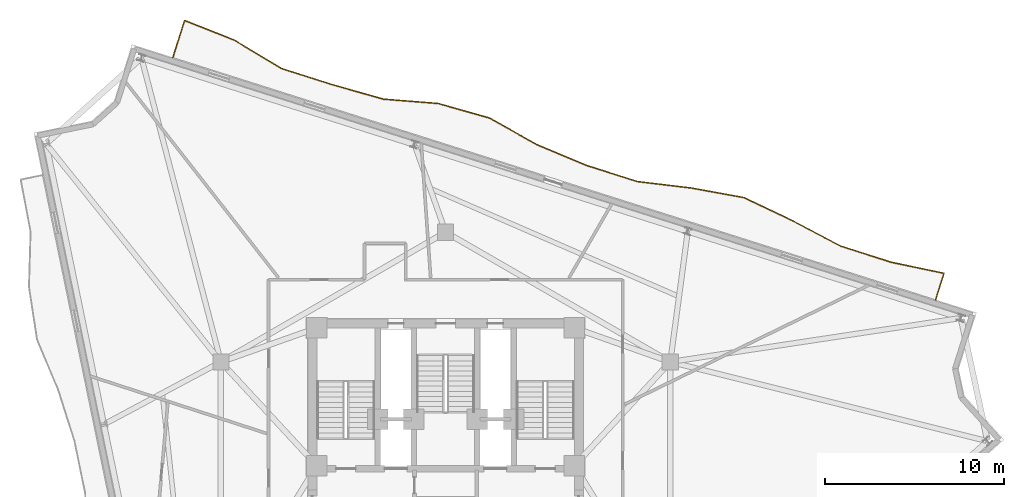
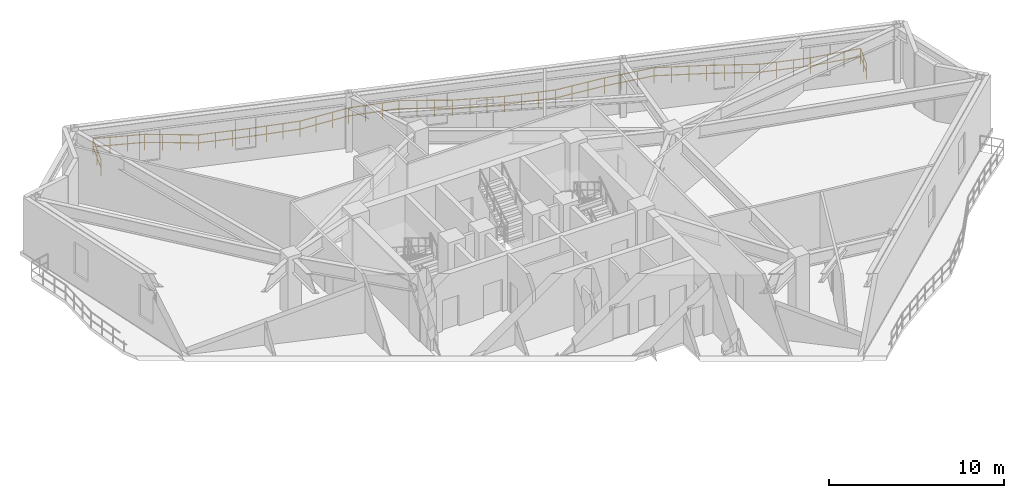
# One storey, part 12 of 12: 1 railing.
"""IFC4 building model written with IfcOpenShell, lengths in metres."""

from ifc_helpers import new_model, si_unit, direction, frame, origin, origin_2d, place, context, subcontext, project, spatial, rectangle, extrude, material, type_object, element, save


model = new_model("IFC4")

# Units and contexts
model_context = context("Model", 3, precision=1e-05, world=origin(), true_north=direction((0.0, 1.0)))
body_context = subcontext(model_context, "Body", "Model", "MODEL_VIEW")
ifc_project = project(units=[si_unit("LENGTHUNIT", "METRE"), si_unit("AREAUNIT", "SQUARE_METRE"), si_unit("VOLUMEUNIT", "CUBIC_METRE"), si_unit("PLANEANGLEUNIT", "RADIAN"), si_unit("MASSUNIT", "GRAM", prefix="KILO")], contexts=[model_context])

# Site, building, storey
site_placement = place(None, origin())
site = spatial("IfcSite", under=ifc_project, at=site_placement, CompositionType="ELEMENT")
building_placement = place(site_placement, origin())
building = spatial("IfcBuilding", under=site, at=building_placement, Name="Apsidion Concourse Tower", CompositionType="ELEMENT")
storey_placement = place(building_placement, frame((0.0, 0.0, 232.199951171875)))
storey = spatial("IfcBuildingStorey", under=building, at=storey_placement, Name="L54", CompositionType="ELEMENT", Elevation=232.199951171875)

# Railing
ifc_material = material(Name="Brushed stainless steel 316", Category="steel")
railing_type = type_object("IfcRailingType", Name="RL-BAL-1120", PredefinedType="BALUSTRADE", material=ifc_material)
railing_placement = place(storey_placement, frame((-15.25, 24.272216796875, 0.0)))
element("IfcRailing", 1, at=railing_placement, inside=storey, type_object=railing_type, Name="L54 Face 3 Rippling Balcony Balustrade", PredefinedType="BALUSTRADE", context=body_context, shape_type="SweptSolid", body=[
    extrude(rectangle(XDim=0.048095703125, YDim=0.048095703125, at=origin_2d()), frame((0.0, 0.0, 1.09619140625), z_axis=(0.302776842638, 0.953061479424, 0.0), x_axis=(-0.953061479424, 0.302776842638, 0.0)), (0.0, 0.0, 1.0), 2.17236328125),
    extrude(rectangle(XDim=0.048095703125, YDim=0.048095703125, at=origin_2d()), frame((0.0, 0.0, 0.5361328125), z_axis=(0.302776842638, 0.953061479424, 0.0), x_axis=(-0.953061479424, 0.302776842638, 0.0)), (0.0, 0.0, 1.0), 2.17236328125),
    extrude(rectangle(XDim=0.048095703125, YDim=0.048095703125, at=origin_2d()), frame((0.65771484375, 2.0703125, 1.09619140625), z_axis=(0.929771683879, -0.368136680946, 0.0), x_axis=(0.368136680946, 0.929771683879, 0.0)), (0.0, 0.0, 1.0), 2.990234375),
    extrude(rectangle(XDim=0.048095703125, YDim=0.048095703125, at=origin_2d()), frame((0.65771484375, 2.0703125, 0.5361328125), z_axis=(0.929771683879, -0.368136680946, 0.0), x_axis=(0.368136680946, 0.929771683879, 0.0)), (0.0, 0.0, 1.0), 2.990234375),
    extrude(rectangle(XDim=0.048095703125, YDim=0.048095703125, at=origin_2d()), frame((3.43798828125, 0.969482421875, 1.09619140625), z_axis=(0.856346061923, -0.516402384028, 0.0), x_axis=(0.516402384028, 0.856346061923, 0.0)), (0.0, 0.0, 1.0), 3.0673828125),
    extrude(rectangle(XDim=0.048095703125, YDim=0.048095703125, at=origin_2d()), frame((3.43798828125, 0.969482421875, 0.5361328125), z_axis=(0.856346061923, -0.516402384028, 0.0), x_axis=(0.516402384028, 0.856346061923, 0.0)), (0.0, 0.0, 1.0), 3.0673828125),
    extrude(rectangle(XDim=0.048095703125, YDim=0.048095703125, at=origin_2d()), frame((6.064697265625, -0.614501953125, 1.09619140625), z_axis=(0.953072925335, -0.302740811577, 0.0), x_axis=(0.302740811577, 0.953072925335, 0.0)), (0.0, 0.0, 1.0), 2.98291015625),
    extrude(rectangle(XDim=0.048095703125, YDim=0.048095703125, at=origin_2d()), frame((6.064697265625, -0.614501953125, 0.5361328125), z_axis=(0.953072925335, -0.302740811577, 0.0), x_axis=(0.302740811577, 0.953072925335, 0.0)), (0.0, 0.0, 1.0), 2.98291015625),
    extrude(rectangle(XDim=0.048095703125, YDim=0.048095703125, at=origin_2d()), frame((8.90771484375, -1.517578125, 1.09619140625), z_axis=(0.962322433093, -0.2719108949, 0.0), x_axis=(0.2719108949, 0.962322433093, 0.0)), (0.0, 0.0, 1.0), 2.984619140625),
    extrude(rectangle(XDim=0.048095703125, YDim=0.048095703125, at=origin_2d()), frame((8.90771484375, -1.517578125, 0.5361328125), z_axis=(0.962322433093, -0.2719108949, 0.0), x_axis=(0.2719108949, 0.962322433093, 0.0)), (0.0, 0.0, 1.0), 2.984619140625),
    extrude(rectangle(XDim=0.048095703125, YDim=0.048095703125, at=origin_2d()), frame((11.77978515625, -2.3291015625, 1.09619140625), z_axis=(0.996861998594, -0.079159053547, 0.0), x_axis=(0.079159053547, 0.996861998594, 0.0)), (0.0, 0.0, 1.0), 3.0625),
    extrude(rectangle(XDim=0.048095703125, YDim=0.048095703125, at=origin_2d()), frame((11.77978515625, -2.3291015625, 0.5361328125), z_axis=(0.996861998594, -0.079159053547, 0.0), x_axis=(0.079159053547, 0.996861998594, 0.0)), (0.0, 0.0, 1.0), 3.0625),
    extrude(rectangle(XDim=0.048095703125, YDim=0.048095703125, at=origin_2d()), frame((14.832763671875, -2.571533203125, 1.09619140625), z_axis=(0.962273558026, -0.272083809742, 0.0), x_axis=(0.272083809742, 0.962273558026, 0.0)), (0.0, 0.0, 1.0), 2.984375),
    extrude(rectangle(XDim=0.048095703125, YDim=0.048095703125, at=origin_2d()), frame((14.832763671875, -2.571533203125, 0.5361328125), z_axis=(0.962273558026, -0.272083809742, 0.0), x_axis=(0.272083809742, 0.962273558026, 0.0)), (0.0, 0.0, 1.0), 2.984375),
    extrude(rectangle(XDim=0.048095703125, YDim=0.048095703125, at=origin_2d()), frame((17.70458984375, -3.383544921875, 1.09619140625), z_axis=(0.871654711989, -0.490120457711, 0.0), x_axis=(0.490120457711, 0.871654711989, 0.0)), (0.0, 0.0, 1.0), 3.046630859375),
    extrude(rectangle(XDim=0.048095703125, YDim=0.048095703125, at=origin_2d()), frame((17.70458984375, -3.383544921875, 0.5361328125), z_axis=(0.871654711989, -0.490120457711, 0.0), x_axis=(0.490120457711, 0.871654711989, 0.0)), (0.0, 0.0, 1.0), 3.046630859375),
    extrude(rectangle(XDim=0.048095703125, YDim=0.048095703125, at=origin_2d()), frame((20.360107421875, -4.876708984375, 1.09619140625), z_axis=(0.922538195329, -0.385905789227, 0.0), x_axis=(0.385905789227, 0.922538195329, 0.0)), (0.0, 0.0, 1.0), 2.994873046875),
    extrude(rectangle(XDim=0.048095703125, YDim=0.048095703125, at=origin_2d()), frame((20.360107421875, -4.876708984375, 0.5361328125), z_axis=(0.922538195329, -0.385905789227, 0.0), x_axis=(0.385905789227, 0.922538195329, 0.0)), (0.0, 0.0, 1.0), 2.994873046875),
    extrude(rectangle(XDim=0.048095703125, YDim=0.048095703125, at=origin_2d()), frame((23.123046875, -6.032470703125, 1.09619140625), z_axis=(0.953072925335, -0.302740811577, 0.0), x_axis=(0.302740811577, 0.953072925335, 0.0)), (0.0, 0.0, 1.0), 2.98291015625),
    extrude(rectangle(XDim=0.048095703125, YDim=0.048095703125, at=origin_2d()), frame((23.123046875, -6.032470703125, 0.5361328125), z_axis=(0.953072925335, -0.302740811577, 0.0), x_axis=(0.302740811577, 0.953072925335, 0.0)), (0.0, 0.0, 1.0), 2.98291015625),
    extrude(rectangle(XDim=0.048095703125, YDim=0.048095703125, at=origin_2d()), frame((25.966064453125, -6.935546875, 1.09619140625), z_axis=(0.992905342144, -0.118907449476, 0.0), x_axis=(0.118907449476, 0.992905342144, 0.0)), (0.0, 0.0, 1.0), 3.03662109375),
    extrude(rectangle(XDim=0.048095703125, YDim=0.048095703125, at=origin_2d()), frame((25.966064453125, -6.935546875, 0.5361328125), z_axis=(0.992905342144, -0.118907449476, 0.0), x_axis=(0.118907449476, 0.992905342144, 0.0)), (0.0, 0.0, 1.0), 3.03662109375),
    extrude(rectangle(XDim=0.048095703125, YDim=0.048095703125, at=origin_2d()), frame((28.981201171875, -7.296630859375, 1.09619140625), z_axis=(0.983759315655, -0.179492642921, 0.0), x_axis=(0.179492642921, 0.983759315655, 0.0)), (0.0, 0.0, 1.0), 3.00732421875),
    extrude(rectangle(XDim=0.048095703125, YDim=0.048095703125, at=origin_2d()), frame((28.981201171875, -7.296630859375, 0.5361328125), z_axis=(0.983759315655, -0.179492642921, 0.0), x_axis=(0.179492642921, 0.983759315655, 0.0)), (0.0, 0.0, 1.0), 3.00732421875),
    extrude(rectangle(XDim=0.048095703125, YDim=0.048095703125, at=origin_2d()), frame((31.939697265625, -7.83642578125, 1.09619140625), z_axis=(0.902559092217, -0.430566005458, 0.0), x_axis=(0.430566005458, 0.902559092217, 0.0)), (0.0, 0.0, 1.0), 3.011474609375),
    extrude(rectangle(XDim=0.048095703125, YDim=0.048095703125, at=origin_2d()), frame((31.939697265625, -7.83642578125, 0.5361328125), z_axis=(0.902559092217, -0.430566005458, 0.0), x_axis=(0.430566005458, 0.902559092217, 0.0)), (0.0, 0.0, 1.0), 3.011474609375),
    extrude(rectangle(XDim=0.048095703125, YDim=0.048095703125, at=origin_2d()), frame((34.65771484375, -9.133056640625, 1.09619140625), z_axis=(0.884418000387, -0.466695618783, 0.0), x_axis=(0.466695618783, 0.884418000387, 0.0)), (0.0, 0.0, 1.0), 3.031005859375),
    extrude(rectangle(XDim=0.048095703125, YDim=0.048095703125, at=origin_2d()), frame((34.65771484375, -9.133056640625, 0.5361328125), z_axis=(0.884418000387, -0.466695618783, 0.0), x_axis=(0.466695618783, 0.884418000387, 0.0)), (0.0, 0.0, 1.0), 3.031005859375),
    extrude(rectangle(XDim=0.048095703125, YDim=0.048095703125, at=origin_2d()), frame((37.33837890625, -10.547607421875, 1.09619140625), z_axis=(0.953096537791, -0.302666466016, 0.0), x_axis=(0.302666466016, 0.953096537791, 0.0)), (0.0, 0.0, 1.0), 2.98291015625),
    extrude(rectangle(XDim=0.048095703125, YDim=0.048095703125, at=origin_2d()), frame((37.33837890625, -10.547607421875, 0.5361328125), z_axis=(0.953096537791, -0.302666466016, 0.0), x_axis=(0.302666466016, 0.953096537791, 0.0)), (0.0, 0.0, 1.0), 2.98291015625),
    extrude(rectangle(XDim=0.048095703125, YDim=0.048095703125, at=origin_2d()), frame((40.181396484375, -11.450439453125, 1.09619140625), z_axis=(0.978580878231, -0.205862732809, 0.0), x_axis=(0.205862732809, 0.978580878231, 0.0)), (0.0, 0.0, 1.0), 2.998046875),
    extrude(rectangle(XDim=0.048095703125, YDim=0.048095703125, at=origin_2d()), frame((40.181396484375, -11.450439453125, 0.5361328125), z_axis=(0.978580878231, -0.205862732809, 0.0), x_axis=(0.205862732809, 0.978580878231, 0.0)), (0.0, 0.0, 1.0), 2.998046875),
    extrude(rectangle(XDim=0.048095703125, YDim=0.048095703125, at=origin_2d()), frame((43.115234375, -12.067626953125, 1.09619140625), z_axis=(-0.3027290292, -0.953076667892, 0.0), x_axis=(0.953076667892, -0.3027290292, 0.0)), (0.0, 0.0, 1.0), 1.550048828125),
    extrude(rectangle(XDim=0.048095703125, YDim=0.048095703125, at=origin_2d()), frame((43.115234375, -12.067626953125, 0.5361328125), z_axis=(-0.3027290292, -0.953076667892, 0.0), x_axis=(0.953076667892, -0.3027290292, 0.0)), (0.0, 0.0, 1.0), 1.550048828125),
    extrude(rectangle(XDim=0.0419921875, YDim=0.0419921875, at=origin_2d()), origin(), (0.0, 0.0, 1.0), 1.072021484375),
    extrude(rectangle(XDim=0.0419921875, YDim=0.0419921875, at=origin_2d()), frame((0.328857421875, 1.03515625, 0.0)), (0.0, 0.0, 1.0), 1.072021484375),
    extrude(rectangle(XDim=0.0419921875, YDim=0.0419921875, at=origin_2d()), frame((0.65771484375, 2.0703125, 0.0)), (0.0, 0.0, 1.0), 1.072021484375),
    extrude(rectangle(XDim=0.0419921875, YDim=0.0419921875, at=origin_2d()), frame((1.58447265625, 1.703369140625, 0.0)), (0.0, 0.0, 1.0), 1.072021484375),
    extrude(rectangle(XDim=0.0419921875, YDim=0.0419921875, at=origin_2d()), frame((2.51123046875, 1.33642578125, 0.0)), (0.0, 0.0, 1.0), 1.072021484375),
    extrude(rectangle(XDim=0.0419921875, YDim=0.0419921875, at=origin_2d()), frame((3.43798828125, 0.969482421875, 0.0)), (0.0, 0.0, 1.0), 1.072021484375),
    extrude(rectangle(XDim=0.0419921875, YDim=0.0419921875, at=origin_2d()), frame((4.3134765625, 0.44140625, 0.0)), (0.0, 0.0, 1.0), 1.072021484375),
    extrude(rectangle(XDim=0.0419921875, YDim=0.0419921875, at=origin_2d()), frame((5.189208984375, -0.08642578125, 0.0)), (0.0, 0.0, 1.0), 1.072021484375),
    extrude(rectangle(XDim=0.0419921875, YDim=0.0419921875, at=origin_2d()), frame((6.064697265625, -0.614501953125, 0.0)), (0.0, 0.0, 1.0), 1.072021484375),
    extrude(rectangle(XDim=0.0419921875, YDim=0.0419921875, at=origin_2d()), frame((7.012451171875, -0.91552734375, 0.0)), (0.0, 0.0, 1.0), 1.072021484375),
    extrude(rectangle(XDim=0.0419921875, YDim=0.0419921875, at=origin_2d()), frame((7.9599609375, -1.216552734375, 0.0)), (0.0, 0.0, 1.0), 1.072021484375),
    extrude(rectangle(XDim=0.0419921875, YDim=0.0419921875, at=origin_2d()), frame((8.90771484375, -1.517578125, 0.0)), (0.0, 0.0, 1.0), 1.072021484375),
    extrude(rectangle(XDim=0.0419921875, YDim=0.0419921875, at=origin_2d()), frame((9.864990234375, -1.7880859375, 0.0)), (0.0, 0.0, 1.0), 1.072021484375),
    extrude(rectangle(XDim=0.0419921875, YDim=0.0419921875, at=origin_2d()), frame((10.822509765625, -2.05859375, 0.0)), (0.0, 0.0, 1.0), 1.072021484375),
    extrude(rectangle(XDim=0.0419921875, YDim=0.0419921875, at=origin_2d()), frame((11.77978515625, -2.3291015625, 0.0)), (0.0, 0.0, 1.0), 1.072021484375),
    extrude(rectangle(XDim=0.0419921875, YDim=0.0419921875, at=origin_2d()), frame((12.79736328125, -2.409912109375, 0.0)), (0.0, 0.0, 1.0), 1.072021484375),
    extrude(rectangle(XDim=0.0419921875, YDim=0.0419921875, at=origin_2d()), frame((13.815185546875, -2.49072265625, 0.0)), (0.0, 0.0, 1.0), 1.072021484375),
    extrude(rectangle(XDim=0.0419921875, YDim=0.0419921875, at=origin_2d()), frame((14.832763671875, -2.571533203125, 0.0)), (0.0, 0.0, 1.0), 1.072021484375),
    extrude(rectangle(XDim=0.0419921875, YDim=0.0419921875, at=origin_2d()), frame((15.7900390625, -2.84228515625, 0.0)), (0.0, 0.0, 1.0), 1.072021484375),
    extrude(rectangle(XDim=0.0419921875, YDim=0.0419921875, at=origin_2d()), frame((16.747314453125, -3.11279296875, 0.0)), (0.0, 0.0, 1.0), 1.072021484375),
    extrude(rectangle(XDim=0.0419921875, YDim=0.0419921875, at=origin_2d()), frame((17.70458984375, -3.383544921875, 0.0)), (0.0, 0.0, 1.0), 1.072021484375),
    extrude(rectangle(XDim=0.0419921875, YDim=0.0419921875, at=origin_2d()), frame((18.58984375, -3.88134765625, 0.0)), (0.0, 0.0, 1.0), 1.072021484375),
    extrude(rectangle(XDim=0.0419921875, YDim=0.0419921875, at=origin_2d()), frame((19.474853515625, -4.37890625, 0.0)), (0.0, 0.0, 1.0), 1.072021484375),
    extrude(rectangle(XDim=0.0419921875, YDim=0.0419921875, at=origin_2d()), frame((20.360107421875, -4.876708984375, 0.0)), (0.0, 0.0, 1.0), 1.072021484375),
    extrude(rectangle(XDim=0.0419921875, YDim=0.0419921875, at=origin_2d()), frame((21.281005859375, -5.261962890625, 0.0)), (0.0, 0.0, 1.0), 1.072021484375),
    extrude(rectangle(XDim=0.0419921875, YDim=0.0419921875, at=origin_2d()), frame((22.2021484375, -5.647216796875, 0.0)), (0.0, 0.0, 1.0), 1.072021484375),
    extrude(rectangle(XDim=0.0419921875, YDim=0.0419921875, at=origin_2d()), frame((23.123046875, -6.032470703125, 0.0)), (0.0, 0.0, 1.0), 1.072021484375),
    extrude(rectangle(XDim=0.0419921875, YDim=0.0419921875, at=origin_2d()), frame((24.07080078125, -6.33349609375, 0.0)), (0.0, 0.0, 1.0), 1.072021484375),
    extrude(rectangle(XDim=0.0419921875, YDim=0.0419921875, at=origin_2d()), frame((25.018310546875, -6.634521484375, 0.0)), (0.0, 0.0, 1.0), 1.072021484375),
    extrude(rectangle(XDim=0.0419921875, YDim=0.0419921875, at=origin_2d()), frame((25.966064453125, -6.935546875, 0.0)), (0.0, 0.0, 1.0), 1.072021484375),
    extrude(rectangle(XDim=0.0419921875, YDim=0.0419921875, at=origin_2d()), frame((26.97119140625, -7.055908203125, 0.0)), (0.0, 0.0, 1.0), 1.072021484375),
    extrude(rectangle(XDim=0.0419921875, YDim=0.0419921875, at=origin_2d()), frame((27.97607421875, -7.17626953125, 0.0)), (0.0, 0.0, 1.0), 1.072021484375),
    extrude(rectangle(XDim=0.0419921875, YDim=0.0419921875, at=origin_2d()), frame((28.981201171875, -7.296630859375, 0.0)), (0.0, 0.0, 1.0), 1.072021484375),
    extrude(rectangle(XDim=0.0419921875, YDim=0.0419921875, at=origin_2d()), frame((29.96728515625, -7.4765625, 0.0)), (0.0, 0.0, 1.0), 1.072021484375),
    extrude(rectangle(XDim=0.0419921875, YDim=0.0419921875, at=origin_2d()), frame((30.95361328125, -7.656494140625, 0.0)), (0.0, 0.0, 1.0), 1.072021484375),
    extrude(rectangle(XDim=0.0419921875, YDim=0.0419921875, at=origin_2d()), frame((31.939697265625, -7.83642578125, 0.0)), (0.0, 0.0, 1.0), 1.072021484375),
    extrude(rectangle(XDim=0.0419921875, YDim=0.0419921875, at=origin_2d()), frame((32.845703125, -8.2685546875, 0.0)), (0.0, 0.0, 1.0), 1.072021484375),
    extrude(rectangle(XDim=0.0419921875, YDim=0.0419921875, at=origin_2d()), frame((33.751708984375, -8.700927734375, 0.0)), (0.0, 0.0, 1.0), 1.072021484375),
    extrude(rectangle(XDim=0.0419921875, YDim=0.0419921875, at=origin_2d()), frame((34.65771484375, -9.133056640625, 0.0)), (0.0, 0.0, 1.0), 1.072021484375),
    extrude(rectangle(XDim=0.0419921875, YDim=0.0419921875, at=origin_2d()), frame((35.55126953125, -9.6044921875, 0.0)), (0.0, 0.0, 1.0), 1.072021484375),
    extrude(rectangle(XDim=0.0419921875, YDim=0.0419921875, at=origin_2d()), frame((36.44482421875, -10.076171875, 0.0)), (0.0, 0.0, 1.0), 1.072021484375),
    extrude(rectangle(XDim=0.0419921875, YDim=0.0419921875, at=origin_2d()), frame((37.33837890625, -10.547607421875, 0.0)), (0.0, 0.0, 1.0), 1.072021484375),
    extrude(rectangle(XDim=0.0419921875, YDim=0.0419921875, at=origin_2d()), frame((38.2861328125, -10.8486328125, 0.0)), (0.0, 0.0, 1.0), 1.072021484375),
    extrude(rectangle(XDim=0.0419921875, YDim=0.0419921875, at=origin_2d()), frame((39.233642578125, -11.1494140625, 0.0)), (0.0, 0.0, 1.0), 1.072021484375),
    extrude(rectangle(XDim=0.0419921875, YDim=0.0419921875, at=origin_2d()), frame((40.181396484375, -11.450439453125, 0.0)), (0.0, 0.0, 1.0), 1.072021484375),
    extrude(rectangle(XDim=0.0419921875, YDim=0.0419921875, at=origin_2d()), frame((41.159423828125, -11.65625, 0.0)), (0.0, 0.0, 1.0), 1.072021484375),
    extrude(rectangle(XDim=0.0419921875, YDim=0.0419921875, at=origin_2d()), frame((42.13720703125, -11.86181640625, 0.0)), (0.0, 0.0, 1.0), 1.072021484375),
    extrude(rectangle(XDim=0.0419921875, YDim=0.0419921875, at=origin_2d()), frame((43.115234375, -12.067626953125, 0.0)), (0.0, 0.0, 1.0), 1.072021484375),
    extrude(rectangle(XDim=0.0419921875, YDim=0.0419921875, at=origin_2d()), frame((42.880615234375, -12.80615234375, 0.0)), (0.0, 0.0, 1.0), 1.072021484375),
    extrude(rectangle(XDim=0.0419921875, YDim=0.0419921875, at=origin_2d()), frame((42.64599609375, -13.544921875, 0.0)), (0.0, 0.0, 1.0), 1.072021484375),
])

save(model, "model.ifc")
